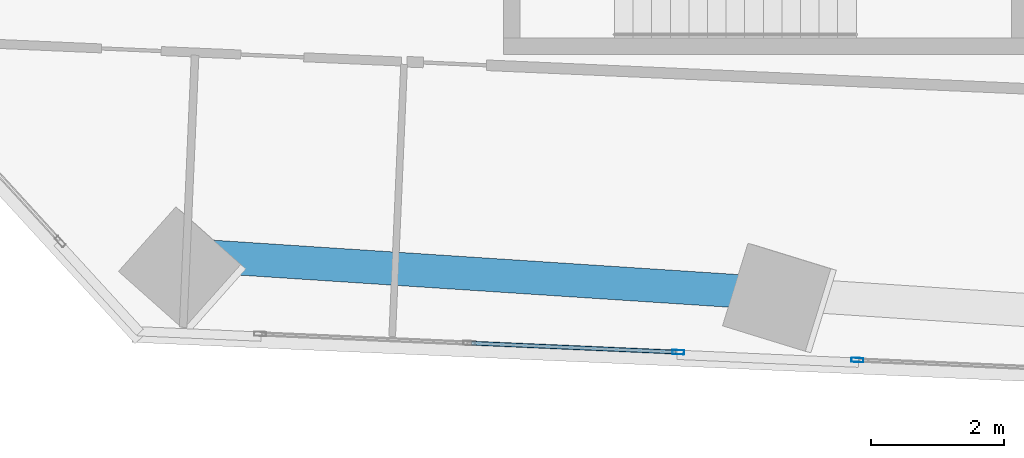
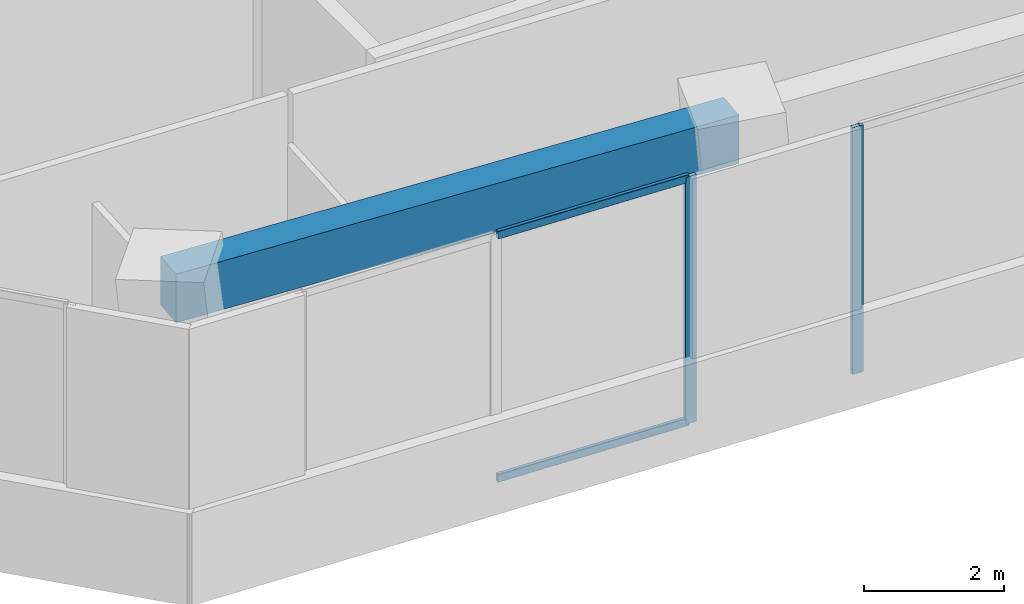
# One storey, part 3 of 27: 4 members, 1 beam, 2 elements without a shape of their own.
"""IFC4 building model written with IfcOpenShell, lengths in metres."""

from ifc_helpers import new_model, si_unit, direction, frame, origin, origin_2d, place, context, subcontext, project, spatial, rectangle, hollow_rectangle, extrude, source, transform, mapped, material, material_profile, profile_set, type_object, element, aggregate, save


model = new_model("IFC4")

# Units and contexts
model_context = context("Model", 3, precision=1e-05, world=origin(), true_north=direction((0.0, 1.0)))
body_context = subcontext(model_context, "Body", "Model", "MODEL_VIEW")
ifc_project = project(units=[si_unit("LENGTHUNIT", "METRE"), si_unit("AREAUNIT", "SQUARE_METRE"), si_unit("VOLUMEUNIT", "CUBIC_METRE"), si_unit("PLANEANGLEUNIT", "RADIAN"), si_unit("MASSUNIT", "GRAM", prefix="KILO")], contexts=[model_context])

# Site, building, storey
site_placement = place(None, origin())
site = spatial("IfcSite", under=ifc_project, at=site_placement, CompositionType="ELEMENT")
building_placement = place(site_placement, origin())
building = spatial("IfcBuilding", under=site, at=building_placement, Name="Torre Montelarca", CompositionType="ELEMENT")
storey_placement = place(building_placement, frame((0.0, 0.0, 37.60009765625)))
storey = spatial("IfcBuildingStorey", under=building, at=storey_placement, Name="L08", CompositionType="ELEMENT", Elevation=37.60009765625)

# Beam
ifc_material_1 = material(Name="Concrete C55/67", Category="concrete")
ifc_material_profile_1 = material_profile(ifc_material_1, rectangle(XDim=0.5, YDim=0.85009765625, at=origin_2d()), Name="RCB500X850", Category="concrete")
ifc_profile_set_1 = profile_set([ifc_material_profile_1], Name="Concrete C55/67")
beam_type = type_object("IfcBeamType", Name="BM-SP-RC850-EXT", PredefinedType="SPANDREL", material=ifc_profile_set_1)
shared_shape_1 = source(origin(), body_context, "Body", "SweptSolid", [
    extrude(rectangle(XDim=0.5, YDim=0.85009765625, at=origin_2d()), origin(), (0.0, 0.0, 1.0), 9.0),
])
beam_placement = place(storey_placement, frame((7.90185546875, 15.654296875, 4.135009765625), z_axis=(0.99785895206, -0.065402689504, 0.0), x_axis=(0.065402689504, 0.99785895206, 0.0)))
element("IfcBeam", 1, at=beam_placement, inside=storey, type_object=beam_type, Name="L08 Grid Girder X 9.0-18.0 at Y=14.8", PredefinedType="SPANDREL", context=body_context, shape_type="MappedRepresentation", body=[
    mapped(shared_shape_1, transform((0.0, 0.0, 0.0), scale=1.0)),
])

# Curtain wall, member
ifc_material_2 = material(Name="Insulated low-E laminated glass", Category="glass")
curtain_wall_type = type_object("IfcCurtainWallType", Name="CW-SYS-Z1", PredefinedType="USERDEFINED", material=ifc_material_2)
curtain_wall_1_placement = place(storey_placement, origin())
curtain_wall_1 = element("IfcCurtainWall", 2, at=curtain_wall_1_placement, inside=storey, type_object=curtain_wall_type, Name="L08 Curtain Wall Run CW-T3-L08-E01-B1", ObjectType="UNITISED GLAZING", PredefinedType="USERDEFINED")
ifc_material_3 = material(Name="Anodised aluminium AA 6063-T6", Category="aluminium")
ifc_material_profile_2 = material_profile(ifc_material_3, hollow_rectangle(XDim=0.06494140625, YDim=0.179931640625, WallThickness=0.00390625, InnerFilletRadius=0.00390625, OuterFilletRadius=0.008056640625, at=origin_2d()), Name="ALU65X180X4", Category="aluminium")
ifc_profile_set_2 = profile_set([ifc_material_profile_2], Name="Anodised aluminium AA 6063-T6")
member_type_1 = type_object("IfcMemberType", Name="CWM-ALU180", PredefinedType="MULLION", material=ifc_profile_set_2)
shared_shape_2 = source(origin(), body_context, "Body", "SweptSolid", [
    extrude(hollow_rectangle(XDim=0.06494140625, YDim=0.179931640625, WallThickness=0.00390625, InnerFilletRadius=0.00390625, OuterFilletRadius=0.008056640625, at=origin_2d()), origin(), (0.0, 0.0, 1.0), 4.31982421875),
])
member_1_placement = place(storey_placement, frame((15.6796875, 14.1669921875, 0.0), z_axis=(0.0, 0.0, 1.0), x_axis=(0.043624697584, 0.999047989719, 0.0)))
member_1 = element("IfcMember", 3, at=member_1_placement, type_object=member_type_1, Name="CW mullion 3", PredefinedType="MULLION", context=body_context, shape_type="MappedRepresentation", body=[
    mapped(shared_shape_2, transform((0.0, 0.0, 0.0), scale=1.0)),
])

curtain_wall_2_placement = place(storey_placement, origin())
curtain_wall_2 = element("IfcCurtainWall", 4, at=curtain_wall_2_placement, inside=storey, type_object=curtain_wall_type, Name="L08 Curtain Wall Run CW-T3-L08-E01-B2", ObjectType="UNITISED GLAZING", PredefinedType="USERDEFINED")
member_2_placement = place(storey_placement, frame((18.37646484375, 14.049072265625, 0.0), z_axis=(0.0, 0.0, 1.0), x_axis=(0.0436194074, 0.999048220707, 0.0)))
member_2 = element("IfcMember", 5, at=member_2_placement, type_object=member_type_1, Name="CW mullion 1", PredefinedType="MULLION", context=body_context, shape_type="MappedRepresentation", body=[
    mapped(shared_shape_2, transform((0.0, 0.0, 0.0), scale=1.0)),
])
aggregate(curtain_wall_2, [member_2])

# Member
ifc_material_profile_3 = material_profile(ifc_material_3, hollow_rectangle(XDim=0.06494140625, YDim=0.139892578125, WallThickness=0.00390625, InnerFilletRadius=0.00390625, OuterFilletRadius=0.008056640625, at=origin_2d()), Name="ALU65X140X4", Category="aluminium")
ifc_profile_set_3 = profile_set([ifc_material_profile_3], Name="Anodised aluminium AA 6063-T6")
member_type_2 = type_object("IfcMemberType", Name="CWT-ALU140", PredefinedType="USERDEFINED", material=ifc_profile_set_3)
shared_shape_3 = source(origin(), body_context, "Body", "SweptSolid", [
    extrude(hollow_rectangle(XDim=0.06494140625, YDim=0.139892578125, WallThickness=0.00390625, InnerFilletRadius=0.00390625, OuterFilletRadius=0.008056640625, at=origin_2d()), origin(), (0.0, 0.0, 1.0), 3.085205078125),
])
member_3_placement = place(storey_placement, frame((12.56494140625, 14.302978515625, 0.032470703125), z_axis=(0.999048978032, -0.043602058368, 0.0), x_axis=(0.043602058368, 0.999048978032, 0.0)))
member_3 = element("IfcMember", 6, at=member_3_placement, type_object=member_type_2, Name="CW transom 2.1", ObjectType="TRANSOM", PredefinedType="USERDEFINED", context=body_context, shape_type="MappedRepresentation", body=[
    mapped(shared_shape_3, transform((0.0, 0.0, 0.0), scale=1.0)),
])

member_4_placement = place(storey_placement, frame((12.56494140625, 14.302978515625, 4.287353515625), z_axis=(0.999048978032, -0.043602058368, 0.0), x_axis=(0.043602058368, 0.999048978032, 0.0)))
member_4 = element("IfcMember", 7, at=member_4_placement, type_object=member_type_2, Name="CW transom 2.2", ObjectType="TRANSOM", PredefinedType="USERDEFINED", context=body_context, shape_type="MappedRepresentation", body=[
    mapped(shared_shape_3, transform((0.0, 0.0, 0.0), scale=1.0)),
])

aggregate(curtain_wall_1, [member_1, member_3, member_4])

save(model, "model.ifc")
